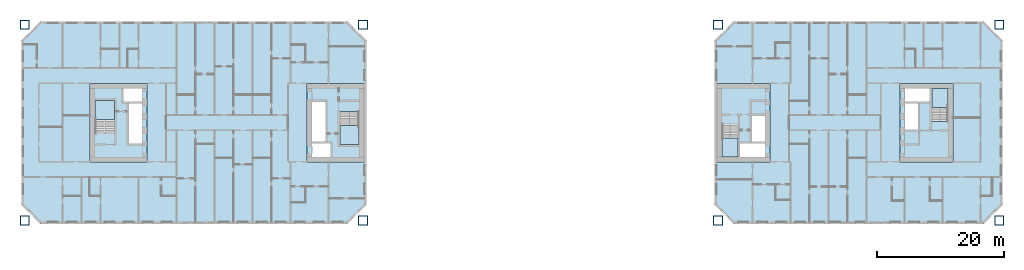
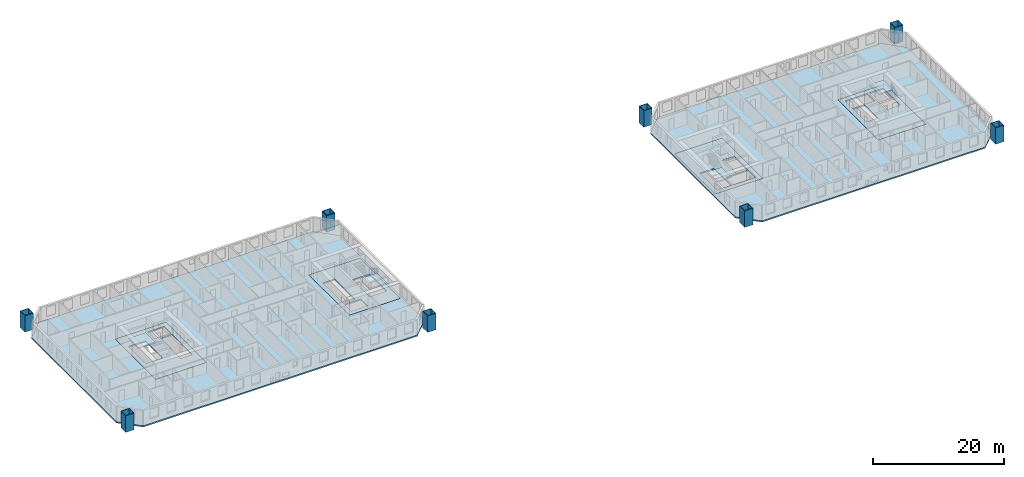
# One storey, part 1 of 16: 10 slabs, 8 columns, 4 elements without a shape of their own.
"""IFC4 building model written with IfcOpenShell, lengths in metres."""

from ifc_helpers import new_model, si_unit, direction, frame, origin, origin_2d, place, context, subcontext, project, spatial, polyline, hollow_rectangle, outline, extrude, material, layer, layer_set, material_profile, profile_set, type_object, element, aggregate, save


model = new_model("IFC4")

# Units and contexts
model_context = context("Model", 3, precision=1e-05, world=origin(), true_north=direction((0.0, 1.0)))
body_context = subcontext(model_context, "Body", "Model", "MODEL_VIEW")
ifc_project = project(units=[si_unit("LENGTHUNIT", "METRE"), si_unit("AREAUNIT", "SQUARE_METRE"), si_unit("VOLUMEUNIT", "CUBIC_METRE"), si_unit("PLANEANGLEUNIT", "RADIAN"), si_unit("MASSUNIT", "GRAM", prefix="KILO")], contexts=[model_context])

# Site, building, storey
site_placement = place(None, origin())
site = spatial("IfcSite", under=ifc_project, at=site_placement, CompositionType="ELEMENT")
building_placement = place(site_placement, origin())
building = spatial("IfcBuilding", under=site, at=building_placement, Name="Tuart Gate Housing", CompositionType="ELEMENT")
storey_placement = place(building_placement, frame((0.0, 0.0, 59.800048828125)))
storey = spatial("IfcBuildingStorey", under=building, at=storey_placement, Name="L16", CompositionType="ELEMENT", Elevation=59.800048828125)

# Columns
ifc_material_1 = material(Name="Steel Grade 350", Category="steel")
ifc_material_profile = material_profile(ifc_material_1, hollow_rectangle(XDim=1.5, YDim=1.5, WallThickness=0.080078125, at=origin_2d()), Name="BOX 1500x1500x80")
ifc_profile_set = profile_set([ifc_material_profile], Name="Steel Grade 350")
column_type = type_object("IfcColumnType", Name="Mega column BOX 1500x1500x80", PredefinedType="COLUMN", material=ifc_profile_set)
for number, where, z_axis, x_axis, name in (
    (1, (22.050048828125, 54.550048828125, 0.0), (0.0, 0.0, 1.0), (1.0, 0.0, 0.0), "Mega column A south-west L16"),
    (2, (75.449951171875, 54.550048828125, 0.0), (0.0, 0.0, 1.0), (1.0, 0.0, 0.0), "Mega column A south-east L16"),
    (3, (75.449951171875, 85.449951171875, 0.0), (0.0, 0.0, 1.0), (1.0, 0.0, 0.0), "Mega column A north-east L16"),
    (4, (22.050048828125, 85.449951171875, 0.0), (0.0, 0.0, 1.0), (1.0, 0.0, 0.0), "Mega column A north-west L16"),
    (5, (131.550048828125, 54.550048828125, 0.0), (0.0, 0.0, 1.0), (1.0, 0.0, 0.0), "Mega column B south-west L16"),
    (6, (175.949951171875, 54.550048828125, 0.0), (0.0, 0.0, 1.0), (1.0, 0.0, 0.0), "Mega column B south-east L16"),
    (7, (175.949951171875, 85.449951171875, 0.0), (0.0, 0.0, 1.0), (1.0, 0.0, 0.0), "Mega column B north-east L16"),
    (8, (131.550048828125, 85.449951171875, 0.0), (0.0, 0.0, 1.0), (1.0, 0.0, 0.0), "Mega column B north-west L16"),
):
    element("IfcColumn", number, at=place(storey_placement, frame(where, z_axis=z_axis, x_axis=x_axis)), inside=storey, type_object=column_type, Name=name, PredefinedType="COLUMN", context=body_context, shape_type="SweptSolid", body=[
        extrude(hollow_rectangle(XDim=1.5, YDim=1.5, WallThickness=0.080078125, at=origin_2d()), origin(), (0.0, 0.0, 1.0), 3.099853515625),
    ])

# Slabs
ifc_material_2 = material(Name="Concrete C40", Category="concrete")
ifc_layer_1 = layer(ifc_material_2, 0.25)
ifc_layer_set_1 = layer_set([ifc_layer_1], Name="Core floor slab 250")
slab_type_1 = type_object("IfcSlabType", Name="Core floor slab 250", PredefinedType="FLOOR", material=ifc_layer_set_1)
slab_1_placement = place(storey_placement, frame((0.0, 0.0, -0.25)))
element("IfcSlab", 9, at=slab_1_placement, inside=storey, type_object=slab_type_1, Name="Core floor AG", PredefinedType="FLOOR", context=body_context, shape_type="SweptSolid", body=[
    extrude(outline(polyline([(66.639892578125, 63.800048828125), (75.639892578125, 63.800048828125), (75.639892578125, 76.199951171875), (66.639892578125, 76.199951171875), (66.639892578125, 63.800048828125)]), holes=[polyline([(67.43994140625, 64.60009765625), (70.3349609375, 64.60009765625), (70.3349609375, 66.675048828125), (67.43994140625, 66.675048828125), (67.43994140625, 64.60009765625)]), polyline([(67.43994140625, 67.02490234375), (69.514892578125, 67.02490234375), (69.514892578125, 73.27490234375), (67.43994140625, 73.27490234375), (67.43994140625, 67.02490234375)]), polyline([(71.81494140625, 66.52490234375), (74.840087890625, 66.52490234375), (74.840087890625, 71.7548828125), (71.81494140625, 71.7548828125), (71.81494140625, 66.52490234375)])]), origin(), (0.0, 0.0, 1.0), 0.25),
])
slab_2_placement = place(storey_placement, frame((0.0, 0.0, -0.25)))
element("IfcSlab", 10, at=slab_2_placement, inside=storey, type_object=slab_type_1, Name="Core floor AK", PredefinedType="FLOOR", context=body_context, shape_type="SweptSolid", body=[
    extrude(outline(polyline([(32.360107421875, 63.800048828125), (41.360107421875, 63.800048828125), (41.360107421875, 76.199951171875), (32.360107421875, 76.199951171875), (32.360107421875, 63.800048828125)]), holes=[polyline([(40.56005859375, 75.39990234375), (37.6650390625, 75.39990234375), (37.6650390625, 73.324951171875), (40.56005859375, 73.324951171875), (40.56005859375, 75.39990234375)]), polyline([(40.56005859375, 72.97509765625), (38.485107421875, 72.97509765625), (38.485107421875, 66.72509765625), (40.56005859375, 66.72509765625), (40.56005859375, 72.97509765625)]), polyline([(36.18505859375, 73.47509765625), (33.159912109375, 73.47509765625), (33.159912109375, 68.2451171875), (36.18505859375, 68.2451171875), (36.18505859375, 73.47509765625)])]), origin(), (0.0, 0.0, 1.0), 0.25),
])
slab_3_placement = place(storey_placement, frame((0.0, 0.0, -0.25)))
element("IfcSlab", 11, at=slab_3_placement, inside=storey, type_object=slab_type_1, Name="Core floor BG", PredefinedType="FLOOR", context=body_context, shape_type="SweptSolid", body=[
    extrude(outline(polyline([(131.360107421875, 63.800048828125), (139.760009765625, 63.800048828125), (139.760009765625, 76.199951171875), (131.360107421875, 76.199951171875), (131.360107421875, 63.800048828125)]), holes=[polyline([(138.9599609375, 66.85009765625), (135.034912109375, 66.85009765625), (135.034912109375, 64.60009765625), (138.9599609375, 64.60009765625), (138.9599609375, 66.85009765625)]), polyline([(138.9599609375, 71.074951171875), (136.885009765625, 71.074951171875), (136.885009765625, 67.02490234375), (138.9599609375, 67.02490234375), (138.9599609375, 71.074951171875)]), polyline([(134.68505859375, 69.804931640625), (132.159912109375, 69.804931640625), (132.159912109375, 64.60009765625), (134.68505859375, 64.60009765625), (134.68505859375, 69.804931640625)])]), origin(), (0.0, 0.0, 1.0), 0.25),
])
slab_4_placement = place(storey_placement, frame((0.0, 0.0, -0.25)))
element("IfcSlab", 12, at=slab_4_placement, inside=storey, type_object=slab_type_1, Name="Core floor BK", PredefinedType="FLOOR", context=body_context, shape_type="SweptSolid", body=[
    extrude(outline(polyline([(160.239990234375, 63.800048828125), (168.639892578125, 63.800048828125), (168.639892578125, 76.199951171875), (160.239990234375, 76.199951171875), (160.239990234375, 63.800048828125)]), holes=[polyline([(161.0400390625, 73.14990234375), (164.965087890625, 73.14990234375), (164.965087890625, 75.39990234375), (161.0400390625, 75.39990234375), (161.0400390625, 73.14990234375)]), polyline([(161.0400390625, 68.925048828125), (163.114990234375, 68.925048828125), (163.114990234375, 72.97509765625), (161.0400390625, 72.97509765625), (161.0400390625, 68.925048828125)]), polyline([(165.31494140625, 70.195068359375), (167.840087890625, 70.195068359375), (167.840087890625, 75.39990234375), (165.31494140625, 75.39990234375), (165.31494140625, 70.195068359375)])]), origin(), (0.0, 0.0, 1.0), 0.25),
])
ifc_material_3 = material(Name="Concrete C40", Category="concrete")
ifc_layer_2 = layer(ifc_material_3, 0.25)
ifc_layer_set_2 = layer_set([ifc_layer_2], Name="Flat plate 250")
slab_type_2 = type_object("IfcSlabType", Name="Flat plate 250", PredefinedType="FLOOR", material=ifc_layer_set_2)
slab_5_placement = place(storey_placement, frame((0.0, 0.0, -0.25)))
element("IfcSlab", 13, at=slab_5_placement, inside=storey, type_object=slab_type_2, Name="Floor slab A L16", PredefinedType="FLOOR", context=body_context, shape_type="SweptSolid", body=[
    extrude(outline(polyline([(24.5, 86.0), (21.5, 83.0), (21.5, 57.0), (24.5, 54.0), (73.0, 54.0), (76.0, 57.0), (76.0, 83.0), (73.0, 86.0), (24.5, 86.0)]), holes=[polyline([(66.639892578125, 76.199951171875), (75.639892578125, 76.199951171875), (75.639892578125, 63.800048828125), (66.639892578125, 63.800048828125), (66.639892578125, 76.199951171875)]), polyline([(41.360107421875, 76.199951171875), (41.360107421875, 63.800048828125), (32.360107421875, 63.800048828125), (32.360107421875, 76.199951171875), (41.360107421875, 76.199951171875)])]), origin(), (0.0, 0.0, 1.0), 0.25),
])
slab_6_placement = place(storey_placement, frame((0.0, 0.0, -0.25)))
element("IfcSlab", 14, at=slab_6_placement, inside=storey, type_object=slab_type_2, Name="Floor slab B L16", PredefinedType="FLOOR", context=body_context, shape_type="SweptSolid", body=[
    extrude(outline(polyline([(134.0, 86.0), (131.0, 83.0), (131.0, 57.0), (134.0, 54.0), (173.5, 54.0), (176.5, 57.0), (176.5, 83.0), (173.5, 86.0), (134.0, 86.0)]), holes=[polyline([(131.360107421875, 76.199951171875), (139.760009765625, 76.199951171875), (139.760009765625, 63.800048828125), (131.360107421875, 63.800048828125), (131.360107421875, 76.199951171875)]), polyline([(168.639892578125, 76.199951171875), (168.639892578125, 63.800048828125), (160.239990234375, 63.800048828125), (160.239990234375, 76.199951171875), (168.639892578125, 76.199951171875)])]), origin(), (0.0, 0.0, 1.0), 0.25),
])

# Stair, slab
ifc_material_4 = material(Name="Concrete C40", Category="concrete")
stair_type_1 = type_object("IfcStairType", Name="Core stair 1500", PredefinedType="HALF_TURN_STAIR", material=ifc_material_4)
stair_1_placement = place(storey_placement, origin())
stair_1 = element("IfcStair", 15, at=stair_1_placement, inside=storey, type_object=stair_type_1, Name="Stair SA1", PredefinedType="HALF_TURN_STAIR")
ifc_material_5 = material(Name="Concrete C40", Category="concrete")
ifc_layer_3 = layer(ifc_material_5, 0.199951171875)
ifc_layer_set_3 = layer_set([ifc_layer_3], Name="Stair landing 200")
slab_type_3 = type_object("IfcSlabType", Name="Stair landing 200", PredefinedType="LANDING", material=ifc_layer_set_3)
slab_7_placement = place(storey_placement, frame((0.0, 0.0, 1.349853515625)))
slab_7 = element("IfcSlab", 16, at=slab_7_placement, type_object=slab_type_3, Name="SA1 landing 1", PredefinedType="LANDING", context=body_context, shape_type="SweptSolid", body=[
    extrude(outline(polyline([(71.81494140625, 66.52490234375), (74.840087890625, 66.52490234375), (74.840087890625, 69.534912109375), (71.81494140625, 69.534912109375), (71.81494140625, 66.52490234375)])), origin(), (0.0, 0.0, 1.0), 0.2001953125),
])
aggregate(stair_1, [slab_7])

stair_2_placement = place(storey_placement, origin())
stair_2 = element("IfcStair", 17, at=stair_2_placement, inside=storey, type_object=stair_type_1, Name="Stair SA2", PredefinedType="HALF_TURN_STAIR")
slab_8_placement = place(storey_placement, frame((0.0, 0.0, 1.349853515625)))
slab_8 = element("IfcSlab", 18, at=slab_8_placement, type_object=slab_type_3, Name="SA2 landing 1", PredefinedType="LANDING", context=body_context, shape_type="SweptSolid", body=[
    extrude(outline(polyline([(36.18505859375, 73.47509765625), (33.159912109375, 73.47509765625), (33.159912109375, 70.465087890625), (36.18505859375, 70.465087890625), (36.18505859375, 73.47509765625)])), origin(), (0.0, 0.0, 1.0), 0.2001953125),
])
aggregate(stair_2, [slab_8])

ifc_material_6 = material(Name="Concrete C40", Category="concrete")
stair_type_2 = type_object("IfcStairType", Name="Core stair 1250", PredefinedType="HALF_TURN_STAIR", material=ifc_material_6)
stair_3_placement = place(storey_placement, origin())
stair_3 = element("IfcStair", 19, at=stair_3_placement, inside=storey, type_object=stair_type_2, Name="Stair SB1", PredefinedType="HALF_TURN_STAIR")
slab_9_placement = place(storey_placement, frame((0.0, 0.0, 1.349853515625)))
slab_9 = element("IfcSlab", 20, at=slab_9_placement, type_object=slab_type_3, Name="SB1 landing 1", PredefinedType="LANDING", context=body_context, shape_type="SweptSolid", body=[
    extrude(outline(polyline([(134.68505859375, 67.5849609375), (132.159912109375, 67.5849609375), (132.159912109375, 64.60009765625), (134.68505859375, 64.60009765625), (134.68505859375, 67.5849609375)])), origin(), (0.0, 0.0, 1.0), 0.2001953125),
])
aggregate(stair_3, [slab_9])

stair_4_placement = place(storey_placement, origin())
stair_4 = element("IfcStair", 21, at=stair_4_placement, inside=storey, type_object=stair_type_2, Name="Stair SB2", PredefinedType="HALF_TURN_STAIR")
slab_10_placement = place(storey_placement, frame((0.0, 0.0, 1.349853515625)))
slab_10 = element("IfcSlab", 22, at=slab_10_placement, type_object=slab_type_3, Name="SB2 landing 1", PredefinedType="LANDING", context=body_context, shape_type="SweptSolid", body=[
    extrude(outline(polyline([(165.31494140625, 72.4150390625), (167.840087890625, 72.4150390625), (167.840087890625, 75.39990234375), (165.31494140625, 75.39990234375), (165.31494140625, 72.4150390625)])), origin(), (0.0, 0.0, 1.0), 0.2001953125),
])
aggregate(stair_4, [slab_10])

save(model, "model.ifc")
